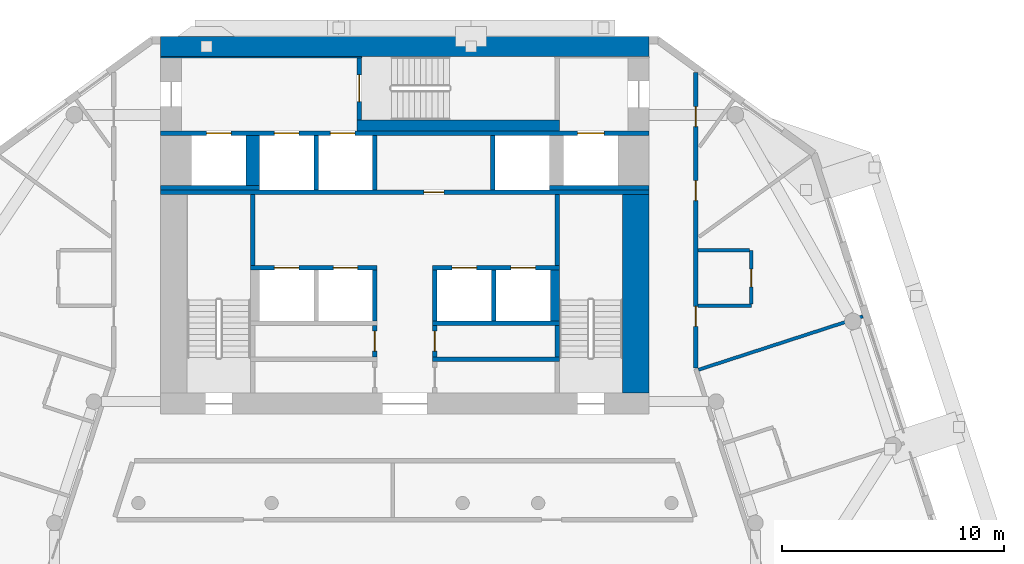
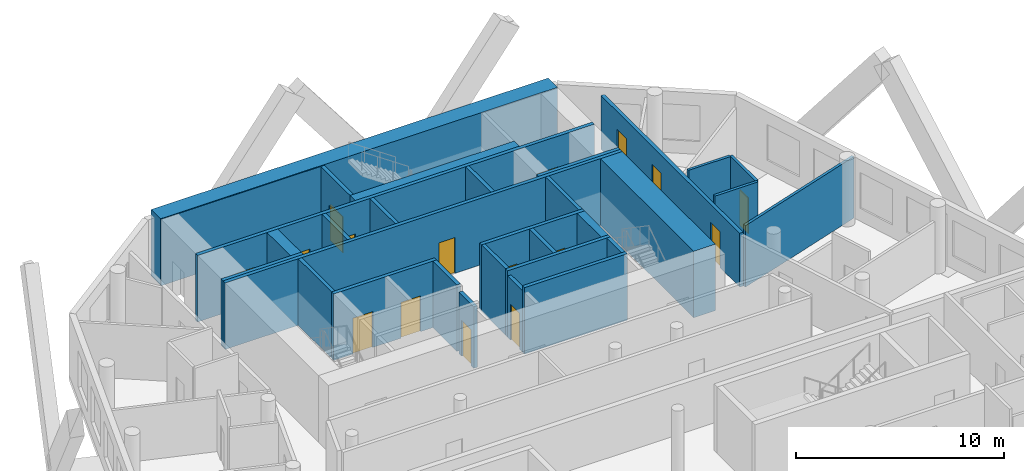
# One storey, part 7 of 10: 31 walls, 16 doors, 16 openings.
"""IFC4 building model written with IfcOpenShell, lengths in metres."""

from ifc_helpers import new_model, si_unit, direction, frame, frame_2d, origin, place, context, subcontext, project, spatial, rectangle, extrude, material, layer, layer_set, type_object, element, fill, save


model = new_model("IFC4")

# Units and contexts
model_context = context("Model", 3, precision=1e-05, world=origin(), true_north=direction((0.0, 1.0)))
body_context = subcontext(model_context, "Body", "Model", "MODEL_VIEW")
ifc_project = project(units=[si_unit("LENGTHUNIT", "METRE"), si_unit("AREAUNIT", "SQUARE_METRE"), si_unit("VOLUMEUNIT", "CUBIC_METRE"), si_unit("PLANEANGLEUNIT", "RADIAN"), si_unit("MASSUNIT", "GRAM", prefix="KILO")], contexts=[model_context])

# Site, building, storey
site_placement = place(None, origin())
site = spatial("IfcSite", under=ifc_project, at=site_placement, CompositionType="ELEMENT")
building_placement = place(site_placement, origin())
building = spatial("IfcBuilding", under=site, at=building_placement, Name="White Candle Pilgrim Tower", CompositionType="ELEMENT")
storey_placement = place(building_placement, frame((0.0, 0.0, 183.699951171875)))
storey = spatial("IfcBuildingStorey", under=building, at=storey_placement, Name="L42", CompositionType="ELEMENT", Elevation=183.699951171875)

# Walls
ifc_material_1 = material(Name="Concrete C60/75", Category="concrete")
ifc_layer_1 = layer(ifc_material_1, 0.199951171875)
ifc_layer_set_1 = layer_set([ifc_layer_1], Name="Core wall 200 mm Concrete C60/75")
wall_type_1 = type_object("IfcWallType", Name="Core wall 200 mm Concrete C60/75", PredefinedType="SHEAR", material=ifc_layer_set_1)
wall_1_placement = place(storey_placement, frame((59.0, 81.199951171875, 0.0), z_axis=(0.0, 0.0, 1.0), x_axis=(1.0, 0.0, 0.0)))
element("IfcWall", 1, at=wall_1_placement, inside=storey, type_object=wall_type_1, Name="WL-L42-C37", PredefinedType="SHEAR", context=body_context, shape_type="SweptSolid", body=[
    extrude(rectangle(XDim=4.449951171875, YDim=0.199951171875, at=frame_2d((2.22509765625, 0.0))), origin(), (0.0, 0.0, 1.0), 3.900146484375),
])
wall_2_placement = place(storey_placement, frame((76.5, 81.199951171875, 0.0), z_axis=(0.0, 0.0, 1.0), x_axis=(1.0, 0.0, 0.0)))
element("IfcWall", 2, at=wall_2_placement, inside=storey, type_object=wall_type_1, Name="WL-L42-C41", PredefinedType="SHEAR", context=body_context, shape_type="SweptSolid", body=[
    extrude(rectangle(XDim=4.5, YDim=0.199951171875, at=frame_2d((2.25, 0.0))), origin(), (0.0, 0.0, 1.0), 3.900146484375),
])

# Wall, openings, doors
wall_3_placement = place(storey_placement, frame((59.0, 83.64990234375, 0.0), z_axis=(0.0, 0.0, 1.0), x_axis=(1.0, 0.0, 0.0)))
wall_3 = element("IfcWall", 3, at=wall_3_placement, inside=storey, type_object=wall_type_1, Name="WL-L42-C46", PredefinedType="SHEAR", context=body_context, shape_type="SweptSolid", body=[
    extrude(rectangle(XDim=22.0, YDim=0.199951171875, at=frame_2d((11.0, 0.0))), origin(), (0.0, 0.0, 1.0), 3.900146484375),
])
opening_1_placement = place(wall_3_placement, frame((5.125, 0.0, 0.0)))
opening_1 = element("IfcOpeningElement", 4, at=opening_1_placement, cuts=wall_3, Name="Opening T13-019", PredefinedType="OPENING", context=body_context, shape_type="SweptSolid", body=[
    extrude(rectangle(XDim=1.10009765625, YDim=2.10009765625, at=frame_2d((0.550048828125, 1.050048828125))), frame((0.0, 0.10986328125, 0.0), z_axis=(0.0, -1.0, 0.0), x_axis=(1.0, 0.0, 0.0)), (0.0, 0.0, 1.0), 0.219970703125),
])
opening_2_placement = place(wall_3_placement, frame((7.64990234375, 0.0, 0.0)))
opening_2 = element("IfcOpeningElement", 5, at=opening_2_placement, cuts=wall_3, Name="Opening T13-020", PredefinedType="OPENING", context=body_context, shape_type="SweptSolid", body=[
    extrude(rectangle(XDim=1.10009765625, YDim=2.10009765625, at=frame_2d((0.550048828125, 1.050048828125))), frame((0.0, 0.10986328125, 0.0), z_axis=(0.0, -1.0, 0.0), x_axis=(1.0, 0.0, 0.0)), (0.0, 0.0, 1.0), 0.219970703125),
])
opening_3_placement = place(wall_3_placement, frame((18.77490234375, 0.0, 0.0)))
opening_3 = element("IfcOpeningElement", 6, at=opening_3_placement, cuts=wall_3, Name="Opening T13-021", PredefinedType="OPENING", context=body_context, shape_type="SweptSolid", body=[
    extrude(rectangle(XDim=1.199951171875, YDim=2.10009765625, at=frame_2d((0.60009765625, 1.050048828125))), frame((0.0, 0.10986328125, 0.0), z_axis=(0.0, -1.0, 0.0), x_axis=(1.0, 0.0, 0.0)), (0.0, 0.0, 1.0), 0.219970703125),
])
opening_4_placement = place(wall_3_placement, frame((2.074951171875, 0.0, 0.0)))
opening_4 = element("IfcOpeningElement", 7, at=opening_4_placement, cuts=wall_3, Name="Opening T13-022", PredefinedType="OPENING", context=body_context, shape_type="SweptSolid", body=[
    extrude(rectangle(XDim=1.10009765625, YDim=2.10009765625, at=frame_2d((0.550048828125, 1.050048828125))), frame((0.0, 0.10986328125, 0.0), z_axis=(0.0, -1.0, 0.0), x_axis=(1.0, 0.0, 0.0)), (0.0, 0.0, 1.0), 0.219970703125),
])
ifc_material_2 = material(Name="Stainless steel", Category="steel")
door_type_1 = type_object("IfcDoorType", Name="Lift landing door 1100 x 2100 EI 60", OperationType="DOUBLE_DOOR_SLIDING", PredefinedType="DOOR", material=ifc_material_2)
door_1_placement = place(opening_1_placement, origin())
door_1 = element("IfcDoor", 8, at=door_1_placement, inside=storey, type_object=door_type_1, Name="Door T13-019", OperationType="DOUBLE_DOOR_SLIDING", OverallHeight=2.10009765625, OverallWidth=1.10009765625, PredefinedType="DOOR", context=body_context, shape_type="SweptSolid", body=[
    extrude(rectangle(XDim=1.10009765625, YDim=2.10009765625, at=frame_2d((0.550048828125, 1.050048828125))), frame((0.0, 0.02490234375, 0.0), z_axis=(0.0, -1.0, 0.0), x_axis=(1.0, 0.0, 0.0)), (0.0, 0.0, 1.0), 0.050048828125),
])
fill(opening_1, door_1)
door_2_placement = place(opening_2_placement, origin())
door_2 = element("IfcDoor", 9, at=door_2_placement, inside=storey, type_object=door_type_1, Name="Door T13-020", OperationType="DOUBLE_DOOR_SLIDING", OverallHeight=2.10009765625, OverallWidth=1.10009765625, PredefinedType="DOOR", context=body_context, shape_type="SweptSolid", body=[
    extrude(rectangle(XDim=1.10009765625, YDim=2.10009765625, at=frame_2d((0.550048828125, 1.050048828125))), frame((0.0, 0.02490234375, 0.0), z_axis=(0.0, -1.0, 0.0), x_axis=(1.0, 0.0, 0.0)), (0.0, 0.0, 1.0), 0.050048828125),
])
fill(opening_2, door_2)
door_3_placement = place(opening_4_placement, origin())
door_3 = element("IfcDoor", 10, at=door_3_placement, inside=storey, type_object=door_type_1, Name="Door T13-022", OperationType="DOUBLE_DOOR_SLIDING", OverallHeight=2.10009765625, OverallWidth=1.10009765625, PredefinedType="DOOR", context=body_context, shape_type="SweptSolid", body=[
    extrude(rectangle(XDim=1.10009765625, YDim=2.10009765625, at=frame_2d((0.550048828125, 1.050048828125))), frame((0.0, 0.02490234375, 0.0), z_axis=(0.0, -1.0, 0.0), x_axis=(1.0, 0.0, 0.0)), (0.0, 0.0, 1.0), 0.050048828125),
])
fill(opening_4, door_3)
door_type_2 = type_object("IfcDoorType", Name="Lift landing door 1200 x 2100 E 60", OperationType="DOUBLE_DOOR_SLIDING", PredefinedType="DOOR", material=ifc_material_2)
door_4_placement = place(opening_3_placement, origin())
door_4 = element("IfcDoor", 11, at=door_4_placement, inside=storey, type_object=door_type_2, Name="Door T13-021", OperationType="DOUBLE_DOOR_SLIDING", OverallHeight=2.10009765625, OverallWidth=1.199951171875, PredefinedType="DOOR", context=body_context, shape_type="SweptSolid", body=[
    extrude(rectangle(XDim=1.199951171875, YDim=2.10009765625, at=frame_2d((0.60009765625, 1.050048828125))), frame((0.0, 0.02490234375, 0.0), z_axis=(0.0, -1.0, 0.0), x_axis=(1.0, 0.0, 0.0)), (0.0, 0.0, 1.0), 0.050048828125),
])
fill(opening_3, door_4)

ifc_material_3 = material(Name="Gypsum board on steel studs", Category="steel")
ifc_layer_2 = layer(ifc_material_3, 0.199951171875)
ifc_layer_set_2 = layer_set([ifc_layer_2], Name="Corridor wall 200 mm EI 45")
wall_type_2 = type_object("IfcWallType", Name="Corridor wall 200 mm EI 45", PredefinedType="PARTITIONING", material=ifc_layer_set_2)
wall_4_placement = place(storey_placement, frame((83.10009765625, 86.396240234375, 0.0), z_axis=(0.0, 0.0, 1.0), x_axis=(0.0, -1.0, 0.0)))
wall_4 = element("IfcWall", 12, at=wall_4_placement, inside=storey, type_object=wall_type_2, Name="WL-L42-P004", PredefinedType="PARTITIONING", context=body_context, shape_type="SweptSolid", body=[
    extrude(rectangle(XDim=13.32421875, YDim=0.199951171875, at=frame_2d((6.662109375, 0.0))), origin(), (0.0, 0.0, 1.0), 3.150146484375),
])
opening_5_placement = place(wall_4_placement, frame((1.548583984375, 0.0, 0.0)))
opening_5 = element("IfcOpeningElement", 13, at=opening_5_placement, cuts=wall_4, Name="Opening T13-129", PredefinedType="OPENING", context=body_context, shape_type="SweptSolid", body=[
    extrude(rectangle(XDim=0.89990234375, YDim=2.10009765625, at=frame_2d((0.449951171875, 1.050048828125))), frame((0.0, 0.10986328125, 0.0), z_axis=(0.0, -1.0, 0.0), x_axis=(1.0, 0.0, 0.0)), (0.0, 0.0, 1.0), 0.219970703125),
])
opening_6_placement = place(wall_4_placement, frame((4.882568359375, 0.0, 0.0)))
opening_6 = element("IfcOpeningElement", 14, at=opening_6_placement, cuts=wall_4, Name="Opening T13-130", PredefinedType="OPENING", context=body_context, shape_type="SweptSolid", body=[
    extrude(rectangle(XDim=0.89990234375, YDim=2.10009765625, at=frame_2d((0.449951171875, 1.050048828125))), frame((0.0, 0.10986328125, 0.0), z_axis=(0.0, -1.0, 0.0), x_axis=(1.0, 0.0, 0.0)), (0.0, 0.0, 1.0), 0.219970703125),
])
opening_7_placement = place(wall_4_placement, frame((10.53857421875, 0.0, 0.0)))
opening_7 = element("IfcOpeningElement", 15, at=opening_7_placement, cuts=wall_4, Name="Opening T13-131", PredefinedType="OPENING", context=body_context, shape_type="SweptSolid", body=[
    extrude(rectangle(XDim=0.89990234375, YDim=2.10009765625, at=frame_2d((0.449951171875, 1.050048828125))), frame((0.0, 0.10986328125, 0.0), z_axis=(0.0, -1.0, 0.0), x_axis=(1.0, 0.0, 0.0)), (0.0, 0.0, 1.0), 0.219970703125),
])
ifc_material_4 = material(Name="Steel door leaf", Category="steel")
door_type_3 = type_object("IfcDoorType", Name="Fire door 900 x 2100 EI 30", OperationType="NOTDEFINED", PredefinedType="DOOR", material=ifc_material_4)
door_5_placement = place(opening_5_placement, origin())
door_5 = element("IfcDoor", 16, at=door_5_placement, inside=storey, type_object=door_type_3, Name="Door T13-129", OperationType="SINGLE_SWING_LEFT", OverallHeight=2.10009765625, OverallWidth=0.89990234375, PredefinedType="DOOR", context=body_context, shape_type="SweptSolid", body=[
    extrude(rectangle(XDim=0.89990234375, YDim=2.10009765625, at=frame_2d((0.449951171875, 1.050048828125))), frame((0.0, 0.02490234375, 0.0), z_axis=(0.0, -1.0, 0.0), x_axis=(1.0, 0.0, 0.0)), (0.0, 0.0, 1.0), 0.050048828125),
])
fill(opening_5, door_5)
door_6_placement = place(opening_6_placement, origin())
door_6 = element("IfcDoor", 17, at=door_6_placement, inside=storey, type_object=door_type_3, Name="Door T13-130", OperationType="SINGLE_SWING_RIGHT", OverallHeight=2.10009765625, OverallWidth=0.89990234375, PredefinedType="DOOR", context=body_context, shape_type="SweptSolid", body=[
    extrude(rectangle(XDim=0.89990234375, YDim=2.10009765625, at=frame_2d((0.449951171875, 1.050048828125))), frame((0.0, 0.02490234375, 0.0), z_axis=(0.0, -1.0, 0.0), x_axis=(1.0, 0.0, 0.0)), (0.0, 0.0, 1.0), 0.050048828125),
])
fill(opening_6, door_6)
door_7_placement = place(opening_7_placement, frame((0.89990234375, 0.0, 0.0), z_axis=(0.0, 0.0, 1.0), x_axis=(-1.0, 0.0, 0.0)))
door_7 = element("IfcDoor", 18, at=door_7_placement, inside=storey, type_object=door_type_3, Name="Door T13-131", OperationType="SINGLE_SWING_RIGHT", OverallHeight=2.10009765625, OverallWidth=0.89990234375, PredefinedType="DOOR", context=body_context, shape_type="SweptSolid", body=[
    extrude(rectangle(XDim=0.89990234375, YDim=2.10009765625, at=frame_2d((0.449951171875, 1.050048828125))), frame((0.0, 0.02490234375, 0.0), z_axis=(0.0, -1.0, 0.0), x_axis=(1.0, 0.0, 0.0)), (0.0, 0.0, 1.0), 0.050048828125),
])
fill(opening_7, door_7)

# Wall, opening, door
ifc_layer_3 = layer(ifc_material_3, 0.199951171875)
ifc_layer_set_3 = layer_set([ifc_layer_3], Name="Lobby wall 200 mm EI 60")
wall_type_3 = type_object("IfcWallType", Name="Lobby wall 200 mm EI 60", PredefinedType="PARTITIONING", material=ifc_layer_set_3)
wall_5_placement = place(storey_placement, frame((68.64990234375, 73.574951171875, 0.0), z_axis=(0.0, 0.0, 1.0), x_axis=(0.0, 1.0, 0.0)))
wall_5 = element("IfcWall", 19, at=wall_5_placement, inside=storey, type_object=wall_type_3, Name="WL-L42-C21", PredefinedType="PARTITIONING", context=body_context, shape_type="SweptSolid", body=[
    extrude(rectangle(XDim=1.425048828125, YDim=0.199951171875, at=frame_2d((0.71240234375, 0.0))), origin(), (0.0, 0.0, 1.0), 3.60009765625),
])
opening_8_placement = place(wall_5_placement, frame((0.262451171875, 0.0, 0.0)))
opening_8 = element("IfcOpeningElement", 20, at=opening_8_placement, cuts=wall_5, Name="Opening T13-006", PredefinedType="OPENING", context=body_context, shape_type="SweptSolid", body=[
    extrude(rectangle(XDim=0.89990234375, YDim=2.10009765625, at=frame_2d((0.449951171875, 1.050048828125))), frame((0.0, 0.10986328125, 0.0), z_axis=(0.0, -1.0, 0.0), x_axis=(1.0, 0.0, 0.0)), (0.0, 0.0, 1.0), 0.219970703125),
])
door_8_placement = place(opening_8_placement, origin())
door_8 = element("IfcDoor", 21, at=door_8_placement, inside=storey, type_object=door_type_3, Name="Door T13-006", OperationType="SINGLE_SWING_RIGHT", OverallHeight=2.10009765625, OverallWidth=0.89990234375, PredefinedType="DOOR", context=body_context, shape_type="SweptSolid", body=[
    extrude(rectangle(XDim=0.89990234375, YDim=2.10009765625, at=frame_2d((0.449951171875, 1.050048828125))), frame((0.0, 0.02490234375, 0.0), z_axis=(0.0, -1.0, 0.0), x_axis=(1.0, 0.0, 0.0)), (0.0, 0.0, 1.0), 0.050048828125),
])
fill(opening_8, door_8)

wall_6_placement = place(storey_placement, frame((71.35009765625, 73.574951171875, 0.0), z_axis=(0.0, 0.0, 1.0), x_axis=(0.0, 1.0, 0.0)))
wall_6 = element("IfcWall", 22, at=wall_6_placement, inside=storey, type_object=wall_type_3, Name="WL-L42-C22", PredefinedType="PARTITIONING", context=body_context, shape_type="SweptSolid", body=[
    extrude(rectangle(XDim=1.425048828125, YDim=0.199951171875, at=frame_2d((0.71240234375, 0.0))), origin(), (0.0, 0.0, 1.0), 3.60009765625),
])
opening_9_placement = place(wall_6_placement, frame((0.262451171875, 0.0, 0.0)))
opening_9 = element("IfcOpeningElement", 23, at=opening_9_placement, cuts=wall_6, Name="Opening T13-008", PredefinedType="OPENING", context=body_context, shape_type="SweptSolid", body=[
    extrude(rectangle(XDim=0.89990234375, YDim=2.10009765625, at=frame_2d((0.449951171875, 1.050048828125))), frame((0.0, 0.10986328125, 0.0), z_axis=(0.0, -1.0, 0.0), x_axis=(1.0, 0.0, 0.0)), (0.0, 0.0, 1.0), 0.219970703125),
])
door_9_placement = place(opening_9_placement, origin())
door_9 = element("IfcDoor", 24, at=door_9_placement, inside=storey, type_object=door_type_3, Name="Door T13-008", OperationType="SINGLE_SWING_RIGHT", OverallHeight=2.10009765625, OverallWidth=0.89990234375, PredefinedType="DOOR", context=body_context, shape_type="SweptSolid", body=[
    extrude(rectangle(XDim=0.89990234375, YDim=2.10009765625, at=frame_2d((0.449951171875, 1.050048828125))), frame((0.0, 0.02490234375, 0.0), z_axis=(0.0, -1.0, 0.0), x_axis=(1.0, 0.0, 0.0)), (0.0, 0.0, 1.0), 0.050048828125),
])
fill(opening_9, door_9)

# Walls
ifc_layer_4 = layer(ifc_material_3, 0.14990234375)
ifc_layer_set_4 = layer_set([ifc_layer_4], Name="Partition 150 mm EI 60")
wall_type_4 = type_object("IfcWallType", Name="Partition 150 mm EI 60", PredefinedType="PARTITIONING", material=ifc_layer_set_4)
wall_7_placement = place(storey_placement, frame((90.62158203125, 75.40771484375, 0.0), z_axis=(0.0, 0.0, 1.0), x_axis=(-0.951062659592, -0.308998086611, 0.0)))
element("IfcWall", 25, at=wall_7_placement, inside=storey, type_object=wall_type_4, Name="WL-L42-P052", PredefinedType="PARTITIONING", context=body_context, shape_type="SweptSolid", body=[
    extrude(rectangle(XDim=7.7802734375, YDim=0.14990234375, at=frame_2d((3.89013671875, 0.0))), origin(), (0.0, 0.0, 1.0), 3.60009765625),
])
wall_8_placement = place(storey_placement, frame((83.199951171875, 75.880859375, 0.0), z_axis=(0.0, 0.0, 1.0), x_axis=(1.0, 0.0, 0.0)))
element("IfcWall", 26, at=wall_8_placement, inside=storey, type_object=wall_type_4, Name="WL-L42-P055", PredefinedType="PARTITIONING", context=body_context, shape_type="SweptSolid", body=[
    extrude(rectangle(XDim=2.400146484375, YDim=0.14990234375, at=frame_2d((1.2001953125, 0.0))), origin(), (0.0, 0.0, 1.0), 3.60009765625),
])

# Wall, opening, door
wall_9_placement = place(storey_placement, frame((85.60009765625, 78.380859375, 0.0), z_axis=(0.0, 0.0, 1.0), x_axis=(0.0, -1.0, 0.0)))
wall_9 = element("IfcWall", 27, at=wall_9_placement, inside=storey, type_object=wall_type_4, Name="WL-L42-P056", PredefinedType="PARTITIONING", context=body_context, shape_type="SweptSolid", body=[
    extrude(rectangle(XDim=2.425048828125, YDim=0.14990234375, at=frame_2d((1.21240234375, 0.0))), origin(), (0.0, 0.0, 1.0), 3.60009765625),
])
opening_10_placement = place(wall_9_placement, frame((0.85009765625, 0.0, 0.0)))
opening_10 = element("IfcOpeningElement", 28, at=opening_10_placement, cuts=wall_9, Name="Opening T13-119", PredefinedType="OPENING", context=body_context, shape_type="SweptSolid", body=[
    extrude(rectangle(XDim=0.800048828125, YDim=2.10009765625, at=frame_2d((0.39990234375, 1.050048828125))), frame((0.0, 0.0849609375, 0.0), z_axis=(0.0, -1.0, 0.0), x_axis=(1.0, 0.0, 0.0)), (0.0, 0.0, 1.0), 0.169921875),
])
door_type_4 = type_object("IfcDoorType", Name="Fire door 800 x 2100 EI 30", OperationType="NOTDEFINED", PredefinedType="DOOR", material=ifc_material_4)
door_10_placement = place(opening_10_placement, origin())
door_10 = element("IfcDoor", 29, at=door_10_placement, inside=storey, type_object=door_type_4, Name="Door T13-119", OperationType="SINGLE_SWING_LEFT", OverallHeight=2.10009765625, OverallWidth=0.800048828125, PredefinedType="DOOR", context=body_context, shape_type="SweptSolid", body=[
    extrude(rectangle(XDim=0.800048828125, YDim=2.10009765625, at=frame_2d((0.39990234375, 1.050048828125))), frame((0.0, 0.02490234375, 0.0), z_axis=(0.0, -1.0, 0.0), x_axis=(1.0, 0.0, 0.0)), (0.0, 0.0, 1.0), 0.050048828125),
])
fill(opening_10, door_10)

# Walls
wall_10_placement = place(storey_placement, frame((83.199951171875, 78.380859375, 0.0), z_axis=(0.0, 0.0, 1.0), x_axis=(1.0, 0.0, 0.0)))
element("IfcWall", 30, at=wall_10_placement, inside=storey, type_object=wall_type_4, Name="WL-L42-P057", PredefinedType="PARTITIONING", context=body_context, shape_type="SweptSolid", body=[
    extrude(rectangle(XDim=2.324951171875, YDim=0.14990234375, at=frame_2d((1.16259765625, 0.0))), origin(), (0.0, 0.0, 1.0), 3.60009765625),
])
ifc_layer_5 = layer(ifc_material_1, 0.199951171875)
ifc_layer_set_5 = layer_set([ifc_layer_5], Name="Shaft wall 200 mm Concrete C60/75")
wall_type_5 = type_object("IfcWallType", Name="Shaft wall 200 mm Concrete C60/75", PredefinedType="SHEAR", material=ifc_layer_set_5)
for number, where, z_axis, x_axis, name in (
    (31, (68.64990234375, 75.199951171875, 0.0), (0.0, 0.0, 1.0), (0.0, 1.0, 0.0), "WL-L42-C28"),
    (32, (71.35009765625, 75.199951171875, 0.0), (0.0, 0.0, 1.0), (0.0, 1.0, 0.0), "WL-L42-C29"),
    (33, (74.0, 75.199951171875, 0.0), (0.0, 0.0, 1.0), (0.0, 1.0, 0.0), "WL-L42-C30"),
):
    element("IfcWall", number, at=place(storey_placement, frame(where, z_axis=z_axis, x_axis=x_axis)), inside=storey, type_object=wall_type_5, Name=name, PredefinedType="SHEAR", context=body_context, shape_type="SweptSolid", body=[
        extrude(rectangle(XDim=2.300048828125, YDim=0.199951171875, at=frame_2d((1.14990234375, 0.0))), origin(), (0.0, 0.0, 1.0), 3.900146484375),
    ])
for number, where, z_axis, x_axis, name in (
    (34, (66.0, 81.10009765625, 0.0), (0.0, 0.0, 1.0), (0.0, 1.0, 0.0), "WL-L42-C38"),
    (35, (68.64990234375, 81.10009765625, 0.0), (0.0, 0.0, 1.0), (0.0, 1.0, 0.0), "WL-L42-C39"),
    (36, (73.949951171875, 81.10009765625, 0.0), (0.0, 0.0, 1.0), (0.0, 1.0, 0.0), "WL-L42-C40"),
):
    element("IfcWall", number, at=place(storey_placement, frame(where, z_axis=z_axis, x_axis=x_axis)), inside=storey, type_object=wall_type_5, Name=name, PredefinedType="SHEAR", context=body_context, shape_type="SweptSolid", body=[
        extrude(rectangle(XDim=2.449951171875, YDim=0.199951171875, at=frame_2d((1.22509765625, 0.0))), origin(), (0.0, 0.0, 1.0), 3.900146484375),
    ])
ifc_layer_6 = layer(ifc_material_1, 0.60009765625)
ifc_layer_set_6 = layer_set([ifc_layer_6], Name="Shaft wall 600 mm Concrete C60/75")
wall_type_6 = type_object("IfcWallType", Name="Shaft wall 600 mm Concrete C60/75", PredefinedType="SHEAR", material=ifc_layer_set_6)
wall_11_placement = place(storey_placement, frame((63.14990234375, 81.300048828125, 0.0), z_axis=(0.0, 0.0, 1.0), x_axis=(0.0, 1.0, 0.0)))
element("IfcWall", 37, at=wall_11_placement, inside=storey, type_object=wall_type_6, Name="WL-L42-C43", PredefinedType="SHEAR", context=body_context, shape_type="SweptSolid", body=[
    extrude(rectangle(XDim=2.25, YDim=0.60009765625, at=frame_2d((1.125, 0.0))), origin(), (0.0, 0.0, 1.0), 3.900146484375),
])
ifc_layer_7 = layer(ifc_material_1, 1.199951171875)
ifc_layer_set_7 = layer_set([ifc_layer_7], Name="Stair shaft wall 1200 mm Concrete C60/75")
wall_type_7 = type_object("IfcWallType", Name="Stair shaft wall 1200 mm Concrete C60/75", PredefinedType="SHEAR", material=ifc_layer_set_7)
wall_12_placement = place(storey_placement, frame((80.39990234375, 71.949951171875, 0.0), z_axis=(0.0, 0.0, 1.0), x_axis=(0.0, 1.0, 0.0)))
element("IfcWall", 38, at=wall_12_placement, inside=storey, type_object=wall_type_7, Name="WL-L42-C17", PredefinedType="SHEAR", context=body_context, shape_type="SweptSolid", body=[
    extrude(rectangle(XDim=8.949951171875, YDim=1.199951171875, at=frame_2d((4.47509765625, 0.0))), origin(), (0.0, 0.0, 1.0), 3.900146484375),
])
ifc_layer_8 = layer(ifc_material_1, 0.199951171875)
ifc_layer_set_8 = layer_set([ifc_layer_8], Name="Stair shaft wall 200 mm Concrete C60/75")
wall_type_8 = type_object("IfcWallType", Name="Stair shaft wall 200 mm Concrete C60/75", PredefinedType="SHEAR", material=ifc_layer_set_8)
wall_13_placement = place(storey_placement, frame((71.25, 73.47509765625, 0.0), z_axis=(0.0, 0.0, 1.0), x_axis=(1.0, 0.0, 0.0)))
element("IfcWall", 39, at=wall_13_placement, inside=storey, type_object=wall_type_8, Name="WL-L42-C19", PredefinedType="SHEAR", context=body_context, shape_type="SweptSolid", body=[
    extrude(rectangle(XDim=5.699951171875, YDim=0.199951171875, at=frame_2d((2.85009765625, 0.0))), origin(), (0.0, 0.0, 1.0), 3.900146484375),
])
wall_14_placement = place(storey_placement, frame((76.85009765625, 73.574951171875, 0.0), z_axis=(0.0, 0.0, 1.0), x_axis=(0.0, 1.0, 0.0)))
element("IfcWall", 40, at=wall_14_placement, inside=storey, type_object=wall_type_8, Name="WL-L42-C23", PredefinedType="SHEAR", context=body_context, shape_type="SweptSolid", body=[
    extrude(rectangle(XDim=1.425048828125, YDim=0.199951171875, at=frame_2d((0.71240234375, 0.0))), origin(), (0.0, 0.0, 1.0), 3.900146484375),
])
wall_15_placement = place(storey_placement, frame((71.25, 75.10009765625, 0.0), z_axis=(0.0, 0.0, 1.0), x_axis=(1.0, 0.0, 0.0)))
element("IfcWall", 41, at=wall_15_placement, inside=storey, type_object=wall_type_8, Name="WL-L42-C25", PredefinedType="SHEAR", context=body_context, shape_type="SweptSolid", body=[
    extrude(rectangle(XDim=5.699951171875, YDim=0.199951171875, at=frame_2d((2.85009765625, 0.0))), origin(), (0.0, 0.0, 1.0), 3.900146484375),
])

# Wall, openings, doors
wall_16_placement = place(storey_placement, frame((63.050048828125, 77.60009765625, 0.0), z_axis=(0.0, 0.0, 1.0), x_axis=(1.0, 0.0, 0.0)))
wall_16 = element("IfcWall", 42, at=wall_16_placement, inside=storey, type_object=wall_type_8, Name="WL-L42-C32", PredefinedType="SHEAR", context=body_context, shape_type="SweptSolid", body=[
    extrude(rectangle(XDim=5.699951171875, YDim=0.199951171875, at=frame_2d((2.85009765625, 0.0))), origin(), (0.0, 0.0, 1.0), 3.900146484375),
])
opening_11_placement = place(wall_16_placement, frame((1.074951171875, 0.0, 0.0)))
opening_11 = element("IfcOpeningElement", 43, at=opening_11_placement, cuts=wall_16, Name="Opening T13-015", PredefinedType="OPENING", context=body_context, shape_type="SweptSolid", body=[
    extrude(rectangle(XDim=1.10009765625, YDim=2.10009765625, at=frame_2d((0.550048828125, 1.050048828125))), frame((0.0, 0.10986328125, 0.0), z_axis=(0.0, -1.0, 0.0), x_axis=(1.0, 0.0, 0.0)), (0.0, 0.0, 1.0), 0.219970703125),
])
opening_12_placement = place(wall_16_placement, frame((3.72509765625, 0.0, 0.0)))
opening_12 = element("IfcOpeningElement", 44, at=opening_12_placement, cuts=wall_16, Name="Opening T13-016", PredefinedType="OPENING", context=body_context, shape_type="SweptSolid", body=[
    extrude(rectangle(XDim=1.10009765625, YDim=2.10009765625, at=frame_2d((0.550048828125, 1.050048828125))), frame((0.0, 0.10986328125, 0.0), z_axis=(0.0, -1.0, 0.0), x_axis=(1.0, 0.0, 0.0)), (0.0, 0.0, 1.0), 0.219970703125),
])
door_type_5 = type_object("IfcDoorType", Name="Lift landing door 1100 x 2100 E 60", OperationType="DOUBLE_DOOR_SLIDING", PredefinedType="DOOR", material=ifc_material_2)
door_11_placement = place(opening_11_placement, origin())
door_11 = element("IfcDoor", 45, at=door_11_placement, inside=storey, type_object=door_type_5, Name="Door T13-015", OperationType="DOUBLE_DOOR_SLIDING", OverallHeight=2.10009765625, OverallWidth=1.10009765625, PredefinedType="DOOR", context=body_context, shape_type="SweptSolid", body=[
    extrude(rectangle(XDim=1.10009765625, YDim=2.10009765625, at=frame_2d((0.550048828125, 1.050048828125))), frame((0.0, 0.02490234375, 0.0), z_axis=(0.0, -1.0, 0.0), x_axis=(1.0, 0.0, 0.0)), (0.0, 0.0, 1.0), 0.050048828125),
])
fill(opening_11, door_11)
door_12_placement = place(opening_12_placement, origin())
door_12 = element("IfcDoor", 46, at=door_12_placement, inside=storey, type_object=door_type_5, Name="Door T13-016", OperationType="DOUBLE_DOOR_SLIDING", OverallHeight=2.10009765625, OverallWidth=1.10009765625, PredefinedType="DOOR", context=body_context, shape_type="SweptSolid", body=[
    extrude(rectangle(XDim=1.10009765625, YDim=2.10009765625, at=frame_2d((0.550048828125, 1.050048828125))), frame((0.0, 0.02490234375, 0.0), z_axis=(0.0, -1.0, 0.0), x_axis=(1.0, 0.0, 0.0)), (0.0, 0.0, 1.0), 0.050048828125),
])
fill(opening_12, door_12)

wall_17_placement = place(storey_placement, frame((71.25, 77.60009765625, 0.0), z_axis=(0.0, 0.0, 1.0), x_axis=(1.0, 0.0, 0.0)))
wall_17 = element("IfcWall", 47, at=wall_17_placement, inside=storey, type_object=wall_type_8, Name="WL-L42-C33", PredefinedType="SHEAR", context=body_context, shape_type="SweptSolid", body=[
    extrude(rectangle(XDim=5.699951171875, YDim=0.199951171875, at=frame_2d((2.85009765625, 0.0))), origin(), (0.0, 0.0, 1.0), 3.900146484375),
])
opening_13_placement = place(wall_17_placement, frame((0.875, 0.0, 0.0)))
opening_13 = element("IfcOpeningElement", 48, at=opening_13_placement, cuts=wall_17, Name="Opening T13-017", PredefinedType="OPENING", context=body_context, shape_type="SweptSolid", body=[
    extrude(rectangle(XDim=1.10009765625, YDim=2.10009765625, at=frame_2d((0.550048828125, 1.050048828125))), frame((0.0, 0.10986328125, 0.0), z_axis=(0.0, -1.0, 0.0), x_axis=(1.0, 0.0, 0.0)), (0.0, 0.0, 1.0), 0.219970703125),
])
opening_14_placement = place(wall_17_placement, frame((3.52490234375, 0.0, 0.0)))
opening_14 = element("IfcOpeningElement", 49, at=opening_14_placement, cuts=wall_17, Name="Opening T13-018", PredefinedType="OPENING", context=body_context, shape_type="SweptSolid", body=[
    extrude(rectangle(XDim=1.10009765625, YDim=2.10009765625, at=frame_2d((0.550048828125, 1.050048828125))), frame((0.0, 0.10986328125, 0.0), z_axis=(0.0, -1.0, 0.0), x_axis=(1.0, 0.0, 0.0)), (0.0, 0.0, 1.0), 0.219970703125),
])
door_13_placement = place(opening_13_placement, origin())
door_13 = element("IfcDoor", 50, at=door_13_placement, inside=storey, type_object=door_type_5, Name="Door T13-017", OperationType="DOUBLE_DOOR_SLIDING", OverallHeight=2.10009765625, OverallWidth=1.10009765625, PredefinedType="DOOR", context=body_context, shape_type="SweptSolid", body=[
    extrude(rectangle(XDim=1.10009765625, YDim=2.10009765625, at=frame_2d((0.550048828125, 1.050048828125))), frame((0.0, 0.02490234375, 0.0), z_axis=(0.0, -1.0, 0.0), x_axis=(1.0, 0.0, 0.0)), (0.0, 0.0, 1.0), 0.050048828125),
])
fill(opening_13, door_13)
door_14_placement = place(opening_14_placement, origin())
door_14 = element("IfcDoor", 51, at=door_14_placement, inside=storey, type_object=door_type_5, Name="Door T13-018", OperationType="DOUBLE_DOOR_SLIDING", OverallHeight=2.10009765625, OverallWidth=1.10009765625, PredefinedType="DOOR", context=body_context, shape_type="SweptSolid", body=[
    extrude(rectangle(XDim=1.10009765625, YDim=2.10009765625, at=frame_2d((0.550048828125, 1.050048828125))), frame((0.0, 0.02490234375, 0.0), z_axis=(0.0, -1.0, 0.0), x_axis=(1.0, 0.0, 0.0)), (0.0, 0.0, 1.0), 0.050048828125),
])
fill(opening_14, door_14)

# Walls
for number, where, z_axis, x_axis, name in (
    (52, (63.14990234375, 77.699951171875, 0.0), (0.0, 0.0, 1.0), (0.0, 1.0, 0.0), "WL-L42-C34"),
    (53, (76.85009765625, 77.699951171875, 0.0), (0.0, 0.0, 1.0), (0.0, 1.0, 0.0), "WL-L42-C35"),
):
    element("IfcWall", number, at=place(storey_placement, frame(where, z_axis=z_axis, x_axis=x_axis)), inside=storey, type_object=wall_type_8, Name=name, PredefinedType="SHEAR", context=body_context, shape_type="SweptSolid", body=[
        extrude(rectangle(XDim=3.199951171875, YDim=0.199951171875, at=frame_2d((1.60009765625, 0.0))), origin(), (0.0, 0.0, 1.0), 3.900146484375),
    ])

# Wall, opening, door
wall_18_placement = place(storey_placement, frame((59.0, 81.0, 0.0), z_axis=(0.0, 0.0, 1.0), x_axis=(1.0, 0.0, 0.0)))
wall_18 = element("IfcWall", 54, at=wall_18_placement, inside=storey, type_object=wall_type_8, Name="WL-L42-C36", PredefinedType="SHEAR", context=body_context, shape_type="SweptSolid", body=[
    extrude(rectangle(XDim=22.0, YDim=0.199951171875, at=frame_2d((11.0, 0.0))), origin(), (0.0, 0.0, 1.0), 3.900146484375),
])
opening_15_placement = place(wall_18_placement, frame((11.85009765625, 0.0, 0.0)))
opening_15 = element("IfcOpeningElement", 55, at=opening_15_placement, cuts=wall_18, Name="Opening T13-023", PredefinedType="OPENING", context=body_context, shape_type="SweptSolid", body=[
    extrude(rectangle(XDim=0.89990234375, YDim=2.10009765625, at=frame_2d((0.449951171875, 1.050048828125))), frame((0.0, 0.10986328125, 0.0), z_axis=(0.0, -1.0, 0.0), x_axis=(1.0, 0.0, 0.0)), (0.0, 0.0, 1.0), 0.219970703125),
])
door_15_placement = place(opening_15_placement, origin())
door_15 = element("IfcDoor", 56, at=door_15_placement, inside=storey, type_object=door_type_3, Name="Door T13-023", OperationType="SINGLE_SWING_LEFT", OverallHeight=2.10009765625, OverallWidth=0.89990234375, PredefinedType="DOOR", context=body_context, shape_type="SweptSolid", body=[
    extrude(rectangle(XDim=0.89990234375, YDim=2.10009765625, at=frame_2d((0.449951171875, 1.050048828125))), frame((0.0, 0.02490234375, 0.0), z_axis=(0.0, -1.0, 0.0), x_axis=(1.0, 0.0, 0.0)), (0.0, 0.0, 1.0), 0.050048828125),
])
fill(opening_15, door_15)

wall_19_placement = place(storey_placement, frame((67.949951171875, 84.25, 0.0), z_axis=(0.0, 0.0, 1.0), x_axis=(0.0, 1.0, 0.0)))
wall_19 = element("IfcWall", 57, at=wall_19_placement, inside=storey, type_object=wall_type_8, Name="WL-L42-C50", PredefinedType="SHEAR", context=body_context, shape_type="SweptSolid", body=[
    extrude(rectangle(XDim=2.800048828125, YDim=0.199951171875, at=frame_2d((1.39990234375, 0.0))), origin(), (0.0, 0.0, 1.0), 3.900146484375),
])
opening_16_placement = place(wall_19_placement, frame((0.824951171875, 0.0, 0.0)))
opening_16 = element("IfcOpeningElement", 58, at=opening_16_placement, cuts=wall_19, Name="Opening T13-003", PredefinedType="OPENING", context=body_context, shape_type="SweptSolid", body=[
    extrude(rectangle(XDim=1.199951171875, YDim=2.10009765625, at=frame_2d((0.60009765625, 1.050048828125))), frame((0.0, 0.10986328125, 0.0), z_axis=(0.0, -1.0, 0.0), x_axis=(1.0, 0.0, 0.0)), (0.0, 0.0, 1.0), 0.219970703125),
])
door_type_6 = type_object("IfcDoorType", Name="Fire door 1200 x 2100 EI 60", OperationType="NOTDEFINED", PredefinedType="DOOR", material=ifc_material_4)
door_16_placement = place(opening_16_placement, frame((1.199951171875, 0.0, 0.0), z_axis=(0.0, 0.0, 1.0), x_axis=(-1.0, 0.0, 0.0)))
door_16 = element("IfcDoor", 59, at=door_16_placement, inside=storey, type_object=door_type_6, Name="Door T13-003", OperationType="SINGLE_SWING_RIGHT", OverallHeight=2.10009765625, OverallWidth=1.199951171875, PredefinedType="DOOR", context=body_context, shape_type="SweptSolid", body=[
    extrude(rectangle(XDim=1.199951171875, YDim=2.10009765625, at=frame_2d((0.60009765625, 1.050048828125))), frame((0.0, 0.02490234375, 0.0), z_axis=(0.0, -1.0, 0.0), x_axis=(1.0, 0.0, 0.0)), (0.0, 0.0, 1.0), 0.050048828125),
])
fill(opening_16, door_16)

# Walls
ifc_layer_9 = layer(ifc_material_1, 0.39990234375)
ifc_layer_set_9 = layer_set([ifc_layer_9], Name="Stair shaft wall 400 mm Concrete C60/75")
wall_type_9 = type_object("IfcWallType", Name="Stair shaft wall 400 mm Concrete C60/75", PredefinedType="SHEAR", material=ifc_layer_set_9)
wall_20_placement = place(storey_placement, frame((76.75, 75.199951171875, 0.0), z_axis=(0.0, 0.0, 1.0), x_axis=(0.0, 1.0, 0.0)))
element("IfcWall", 60, at=wall_20_placement, inside=storey, type_object=wall_type_9, Name="WL-L42-C31", PredefinedType="SHEAR", context=body_context, shape_type="SweptSolid", body=[
    extrude(rectangle(XDim=2.300048828125, YDim=0.39990234375, at=frame_2d((1.14990234375, 0.0))), origin(), (0.0, 0.0, 1.0), 3.900146484375),
])
ifc_layer_10 = layer(ifc_material_1, 0.050048828125)
ifc_layer_set_10 = layer_set([ifc_layer_10], Name="Stair shaft wall 50 mm Concrete C60/75")
wall_type_10 = type_object("IfcWallType", Name="Stair shaft wall 50 mm Concrete C60/75", PredefinedType="SHEAR", material=ifc_layer_set_10)
wall_21_placement = place(storey_placement, frame((59.0, 87.074951171875, 0.0), z_axis=(0.0, 0.0, 1.0), x_axis=(1.0, 0.0, 0.0)))
element("IfcWall", 61, at=wall_21_placement, inside=storey, type_object=wall_type_10, Name="WL-L42-C52", PredefinedType="SHEAR", context=body_context, shape_type="SweptSolid", body=[
    extrude(rectangle(XDim=9.050048828125, YDim=0.050048828125, at=frame_2d((4.52490234375, 0.0))), origin(), (0.0, 0.0, 1.0), 3.900146484375),
])
ifc_layer_11 = layer(ifc_material_1, 0.5)
ifc_layer_set_11 = layer_set([ifc_layer_11], Name="Stair shaft wall 500 mm Concrete C60/75")
wall_type_11 = type_object("IfcWallType", Name="Stair shaft wall 500 mm Concrete C60/75", PredefinedType="SHEAR", material=ifc_layer_set_11)
wall_22_placement = place(storey_placement, frame((67.85009765625, 84.0, 0.0), z_axis=(0.0, 0.0, 1.0), x_axis=(1.0, 0.0, 0.0)))
element("IfcWall", 62, at=wall_22_placement, inside=storey, type_object=wall_type_11, Name="WL-L42-C48", PredefinedType="SHEAR", context=body_context, shape_type="SweptSolid", body=[
    extrude(rectangle(XDim=9.099853515625, YDim=0.5, at=frame_2d((4.5498046875, 0.0))), origin(), (0.0, 0.0, 1.0), 3.900146484375),
])
ifc_layer_12 = layer(ifc_material_1, 0.89990234375)
ifc_layer_set_12 = layer_set([ifc_layer_12], Name="Stair shaft wall 900 mm Concrete C60/75")
wall_type_12 = type_object("IfcWallType", Name="Stair shaft wall 900 mm Concrete C60/75", PredefinedType="SHEAR", material=ifc_layer_set_12)
wall_23_placement = place(storey_placement, frame((59.0, 87.550048828125, 0.0), z_axis=(0.0, 0.0, 1.0), x_axis=(1.0, 0.0, 0.0)))
element("IfcWall", 63, at=wall_23_placement, inside=storey, type_object=wall_type_12, Name="WL-L42-C54", PredefinedType="SHEAR", context=body_context, shape_type="SweptSolid", body=[
    extrude(rectangle(XDim=22.0, YDim=0.89990234375, at=frame_2d((11.0, 0.0))), origin(), (0.0, 0.0, 1.0), 3.900146484375),
])

save(model, "model.ifc")
